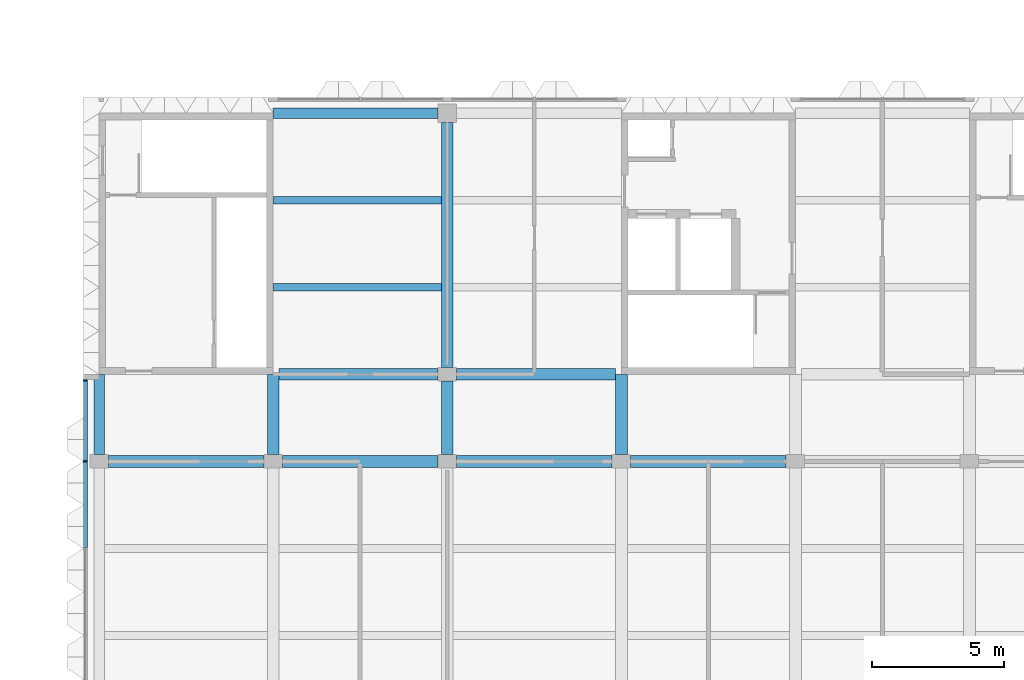
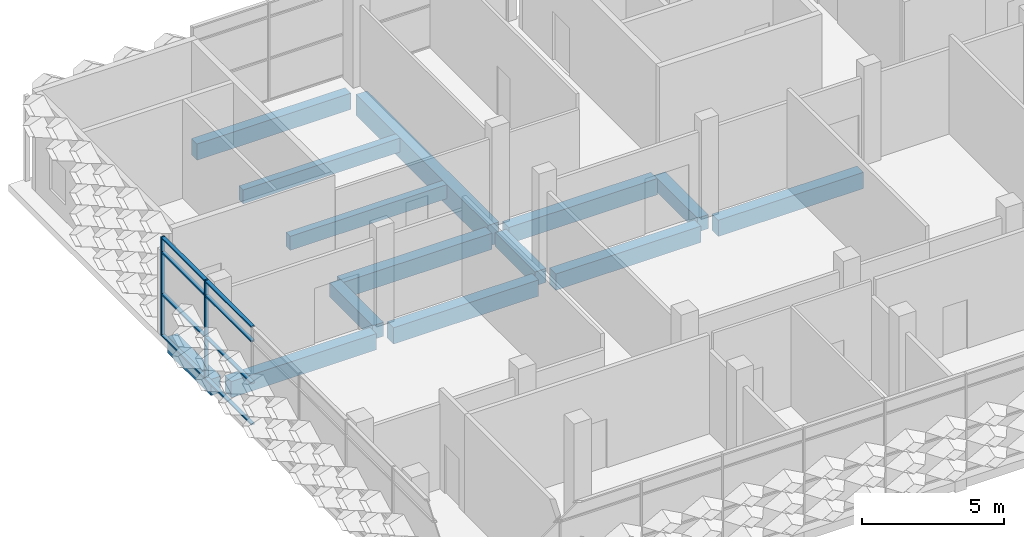
# One storey, part 4 of 61: 14 beams, 10 members, 1 element without a shape of its own.
"""IFC4 building model written with IfcOpenShell, lengths in metres."""

from ifc_helpers import new_model, si_unit, direction, frame, origin, origin_2d, place, context, subcontext, project, spatial, rectangle, extrude, material, material_profile, profile_set, type_object, element, aggregate, save


model = new_model("IFC4")

# Units and contexts
model_context = context("Model", 3, precision=1e-05, world=origin(), true_north=direction((0.0, 1.0)))
body_context = subcontext(model_context, "Body", "Model", "MODEL_VIEW")
ifc_project = project(units=[si_unit("LENGTHUNIT", "METRE"), si_unit("AREAUNIT", "SQUARE_METRE"), si_unit("VOLUMEUNIT", "CUBIC_METRE"), si_unit("PLANEANGLEUNIT", "RADIAN"), si_unit("MASSUNIT", "GRAM", prefix="KILO")], contexts=[model_context])

# Site, building, storey
site_placement = place(None, origin())
site = spatial("IfcSite", under=ifc_project, at=site_placement, CompositionType="ELEMENT")
building_placement = place(site_placement, origin())
building = spatial("IfcBuilding", under=site, at=building_placement, Name="Lantern Court Research Institute", CompositionType="ELEMENT")
storey_placement = place(building_placement, frame((0.0, 0.0, 23.39990234375)))
storey = spatial("IfcBuildingStorey", under=building, at=storey_placement, Name="L05", CompositionType="ELEMENT", Elevation=23.39990234375)

# Curtain wall, members
ifc_material_1 = material(Name="Aluminium alloy 6063-T6", Category="aluminium")
curtain_wall_type = type_object("IfcCurtainWallType", Name="Curtain wall 21250 x 4250 x 150 aluminium frame", PredefinedType="NOTDEFINED", material=ifc_material_1)
curtain_wall_placement = place(storey_placement, origin())
curtain_wall = element("IfcCurtainWall", 1, at=curtain_wall_placement, inside=storey, type_object=curtain_wall_type, Name="Curtain wall CW073", PredefinedType="NOTDEFINED")
ifc_material_2 = material(Name="Aluminium alloy 6063-T6", Category="aluminium")
ifc_material_profile_1 = material_profile(ifc_material_2, rectangle(XDim=0.14990234375, YDim=0.06005859375, at=origin_2d()), Name="Mullion 150 x 60")
ifc_profile_set_1 = profile_set([ifc_material_profile_1], Name="Aluminium alloy 6063-T6")
member_type_1 = type_object("IfcMemberType", Name="Mullion 150 x 60 aluminium", PredefinedType="MULLION", material=ifc_profile_set_1)
member_1_placement = place(storey_placement, frame((-0.52490234375, 9.89990234375, 0.0), z_axis=(0.0, 0.0, 1.0), x_axis=(-1.0, 0.0, 0.0)))
member_1 = element("IfcMember", 2, at=member_1_placement, type_object=member_type_1, Name="CW073 mullion 7", PredefinedType="MULLION", context=body_context, shape_type="SweptSolid", body=[
    extrude(rectangle(XDim=0.14990234375, YDim=0.06005859375, at=origin_2d()), origin(), (0.0, 0.0, 1.0), 4.25),
])
member_2_placement = place(storey_placement, frame((-0.52490234375, 12.969970703125, 0.0), z_axis=(0.0, 0.0, 1.0), x_axis=(-1.0, 0.0, 0.0)))
member_2 = element("IfcMember", 3, at=member_2_placement, type_object=member_type_1, Name="CW073 mullion 8", PredefinedType="MULLION", context=body_context, shape_type="SweptSolid", body=[
    extrude(rectangle(XDim=0.14990234375, YDim=0.06005859375, at=origin_2d()), origin(), (0.0, 0.0, 1.0), 4.25),
])

# Beams
ifc_material_3 = material(Name="Concrete C40/50", Category="concrete")
ifc_material_profile_2 = material_profile(ifc_material_3, rectangle(XDim=0.449951171875, YDim=0.699951171875, at=origin_2d()), Name="RC beam 450 x 700")
ifc_profile_set_2 = profile_set([ifc_material_profile_2], Name="Concrete C40/50")
beam_type_1 = type_object("IfcBeamType", Name="RC beam 450 x 700", PredefinedType="BEAM", material=ifc_profile_set_2)
beam_1_placement = place(storey_placement, frame((0.35009765625, 9.89990234375, -0.64990234375), z_axis=(1.0, 0.0, 0.0), x_axis=(0.0, 1.0, 0.0)))
element("IfcBeam", 4, at=beam_1_placement, inside=storey, type_object=beam_type_1, Name="Beam L05 grid B/1-2", PredefinedType="BEAM", context=body_context, shape_type="SweptSolid", body=[
    extrude(rectangle(XDim=0.449951171875, YDim=0.699951171875, at=origin_2d()), origin(), (0.0, 0.0, 1.0), 5.89990234375),
])
beam_2_placement = place(storey_placement, frame((6.949951171875, 9.89990234375, -0.64990234375), z_axis=(1.0, 0.0, 0.0), x_axis=(0.0, 1.0, 0.0)))
element("IfcBeam", 5, at=beam_2_placement, inside=storey, type_object=beam_type_1, Name="Beam L05 grid B/2-3", PredefinedType="BEAM", context=body_context, shape_type="SweptSolid", body=[
    extrude(rectangle(XDim=0.449951171875, YDim=0.699951171875, at=origin_2d()), origin(), (0.0, 0.0, 1.0), 5.900146484375),
])
beam_3_placement = place(storey_placement, frame((13.550048828125, 9.89990234375, -0.64990234375), z_axis=(1.0, 0.0, 0.0), x_axis=(0.0, 1.0, 0.0)))
element("IfcBeam", 6, at=beam_3_placement, inside=storey, type_object=beam_type_1, Name="Beam L05 grid B/3-4", PredefinedType="BEAM", context=body_context, shape_type="SweptSolid", body=[
    extrude(rectangle(XDim=0.449951171875, YDim=0.699951171875, at=origin_2d()), origin(), (0.0, 0.0, 1.0), 5.89990234375),
])
beam_4_placement = place(storey_placement, frame((20.14990234375, 9.89990234375, -0.64990234375), z_axis=(1.0, 0.0, 0.0), x_axis=(0.0, 1.0, 0.0)))
element("IfcBeam", 7, at=beam_4_placement, inside=storey, type_object=beam_type_1, Name="Beam L05 grid B/4-5", PredefinedType="BEAM", context=body_context, shape_type="SweptSolid", body=[
    extrude(rectangle(XDim=0.449951171875, YDim=0.699951171875, at=origin_2d()), origin(), (0.0, 0.0, 1.0), 5.900146484375),
])
beam_5_placement = place(storey_placement, frame((6.824951171875, 13.199951171875, -0.64990234375), z_axis=(1.0, 0.0, 0.0), x_axis=(0.0, 1.0, 0.0)))
element("IfcBeam", 8, at=beam_5_placement, inside=storey, type_object=beam_type_1, Name="Beam L05 grid C/2-3", PredefinedType="BEAM", context=body_context, shape_type="SweptSolid", body=[
    extrude(rectangle(XDim=0.449951171875, YDim=0.699951171875, at=origin_2d()), origin(), (0.0, 0.0, 1.0), 6.025146484375),
])
beam_6_placement = place(storey_placement, frame((13.550048828125, 13.199951171875, -0.64990234375), z_axis=(1.0, 0.0, 0.0), x_axis=(0.0, 1.0, 0.0)))
element("IfcBeam", 9, at=beam_6_placement, inside=storey, type_object=beam_type_1, Name="Beam L05 grid C/3-4", PredefinedType="BEAM", context=body_context, shape_type="SweptSolid", body=[
    extrude(rectangle(XDim=0.449951171875, YDim=0.699951171875, at=origin_2d()), origin(), (0.0, 0.0, 1.0), 6.02490234375),
])
ifc_material_4 = material(Name="Concrete C40/50", Category="concrete")
ifc_material_profile_3 = material_profile(ifc_material_4, rectangle(XDim=0.39990234375, YDim=0.699951171875, at=origin_2d()), Name="RC beam 400 x 700")
ifc_profile_set_3 = profile_set([ifc_material_profile_3], Name="Concrete C40/50")
beam_type_2 = type_object("IfcBeamType", Name="RC edge beam 400 x 700", PredefinedType="BEAM", material=ifc_profile_set_3)
beam_7_placement = place(storey_placement, frame((0.0, 10.14990234375, -0.64990234375), z_axis=(0.0, 1.0, 0.0), x_axis=(-1.0, 0.0, 0.0)))
element("IfcBeam", 10, at=beam_7_placement, inside=storey, type_object=beam_type_2, Name="Edge beam L05 grid 1/B-C", PredefinedType="BEAM", context=body_context, shape_type="SweptSolid", body=[
    extrude(rectangle(XDim=0.39990234375, YDim=0.699951171875, at=origin_2d()), origin(), (0.0, 0.0, 1.0), 3.050048828125),
])
beam_8_placement = place(storey_placement, frame((6.60009765625, 23.10009765625, -0.64990234375), z_axis=(1.0, 0.0, 0.0), x_axis=(0.0, 1.0, 0.0)))
element("IfcBeam", 11, at=beam_8_placement, inside=storey, type_object=beam_type_2, Name="Edge beam L05 grid D/2-3", PredefinedType="BEAM", context=body_context, shape_type="SweptSolid", body=[
    extrude(rectangle(XDim=0.39990234375, YDim=0.699951171875, at=origin_2d()), origin(), (0.0, 0.0, 1.0), 6.25),
])
ifc_material_5 = material(Name="Concrete C40/50", Category="concrete")
ifc_material_profile_4 = material_profile(ifc_material_5, rectangle(XDim=0.449951171875, YDim=0.89990234375, at=origin_2d()), Name="RC beam 450 x 900")
ifc_profile_set_4 = profile_set([ifc_material_profile_4], Name="Concrete C40/50")
beam_type_3 = type_object("IfcBeamType", Name="RC girder 450 x 900", PredefinedType="BEAM", material=ifc_profile_set_4)
beam_9_placement = place(storey_placement, frame((13.199951171875, 13.449951171875, -0.75), z_axis=(0.0, 1.0, 0.0), x_axis=(-1.0, 0.0, 0.0)))
element("IfcBeam", 12, at=beam_9_placement, inside=storey, type_object=beam_type_3, Name="Girder L05 grid 3/C-D", PredefinedType="BEAM", context=body_context, shape_type="SweptSolid", body=[
    extrude(rectangle(XDim=0.449951171875, YDim=0.89990234375, at=origin_2d()), origin(), (0.0, 0.0, 1.0), 9.300048828125),
])
ifc_material_6 = material(Name="Concrete C40/50", Category="concrete")
ifc_material_profile_5 = material_profile(ifc_material_6, rectangle(XDim=0.300048828125, YDim=0.60009765625, at=origin_2d()), Name="RC beam 300 x 600")
ifc_profile_set_5 = profile_set([ifc_material_profile_5], Name="Concrete C40/50")
beam_type_4 = type_object("IfcBeamType", Name="RC secondary beam 300 x 600", PredefinedType="BEAM", material=ifc_profile_set_5)
for number, where, z_axis, x_axis, name in (
    (13, (6.60009765625, 16.5, -0.599853515625), (1.0, 0.0, 0.0), (0.0, 1.0, 0.0), "Secondary beam L05 grids 2-3 / C-D, line 1"),
    (14, (6.60009765625, 19.800048828125, -0.599853515625), (1.0, 0.0, 0.0), (0.0, 1.0, 0.0), "Secondary beam L05 grids 2-3 / C-D, line 2"),
):
    element("IfcBeam", number, at=place(storey_placement, frame(where, z_axis=z_axis, x_axis=x_axis)), inside=storey, type_object=beam_type_4, Name=name, PredefinedType="BEAM", context=body_context, shape_type="SweptSolid", body=[
        extrude(rectangle(XDim=0.300048828125, YDim=0.60009765625, at=origin_2d()), origin(), (0.0, 0.0, 1.0), 6.375),
    ])
ifc_material_7 = material(Name="Concrete C40/50", Category="concrete")
ifc_material_profile_6 = material_profile(ifc_material_7, rectangle(XDim=0.449951171875, YDim=0.60009765625, at=origin_2d()), Name="RC beam 450 x 600")
ifc_profile_set_6 = profile_set([ifc_material_profile_6], Name="Concrete C40/50")
beam_type_5 = type_object("IfcBeamType", Name="RC spine beam 450 x 600", PredefinedType="BEAM", material=ifc_profile_set_6)
beam_10_placement = place(storey_placement, frame((6.60009765625, 10.14990234375, -0.599853515625), z_axis=(0.0, 1.0, 0.0), x_axis=(-1.0, 0.0, 0.0)))
element("IfcBeam", 15, at=beam_10_placement, inside=storey, type_object=beam_type_5, Name="Beam L05 grid 2/B-C", PredefinedType="BEAM", context=body_context, shape_type="SweptSolid", body=[
    extrude(rectangle(XDim=0.449951171875, YDim=0.60009765625, at=origin_2d()), origin(), (0.0, 0.0, 1.0), 3.050048828125),
])
beam_11_placement = place(storey_placement, frame((13.199951171875, 10.14990234375, -0.599853515625), z_axis=(0.0, 1.0, 0.0), x_axis=(-1.0, 0.0, 0.0)))
element("IfcBeam", 16, at=beam_11_placement, inside=storey, type_object=beam_type_5, Name="Beam L05 grid 3/B-C", PredefinedType="BEAM", context=body_context, shape_type="SweptSolid", body=[
    extrude(rectangle(XDim=0.449951171875, YDim=0.60009765625, at=origin_2d()), origin(), (0.0, 0.0, 1.0), 2.800048828125),
])
beam_12_placement = place(storey_placement, frame((19.800048828125, 10.14990234375, -0.599853515625), z_axis=(0.0, 1.0, 0.0), x_axis=(-1.0, 0.0, 0.0)))
element("IfcBeam", 17, at=beam_12_placement, inside=storey, type_object=beam_type_5, Name="Beam L05 grid 4/B-C", PredefinedType="BEAM", context=body_context, shape_type="SweptSolid", body=[
    extrude(rectangle(XDim=0.449951171875, YDim=0.60009765625, at=origin_2d()), origin(), (0.0, 0.0, 1.0), 3.050048828125),
])

# Member
ifc_material_8 = material(Name="Aluminium alloy 6063-T6", Category="aluminium")
ifc_material_profile_7 = material_profile(ifc_material_8, rectangle(XDim=0.14990234375, YDim=0.06005859375, at=origin_2d()), Name="Transom 150 x 60")
ifc_profile_set_7 = profile_set([ifc_material_profile_7], Name="Aluminium alloy 6063-T6")
member_type_2 = type_object("IfcMemberType", Name="Transom 150 x 60 aluminium", PredefinedType="USERDEFINED", material=ifc_profile_set_7)
member_3_placement = place(storey_placement, frame((-0.52490234375, 6.6298828125, 0.030029296875), z_axis=(0.0, 1.0, 0.0), x_axis=(-1.0, 0.0, 0.0)))
member_3 = element("IfcMember", 18, at=member_3_placement, type_object=member_type_2, Name="CW073 transom 6.1", ObjectType="TRANSOM", PredefinedType="USERDEFINED", context=body_context, shape_type="SweptSolid", body=[
    extrude(rectangle(XDim=0.14990234375, YDim=0.06005859375, at=origin_2d()), origin(), (0.0, 0.0, 1.0), 3.240234375),
])

member_4_placement = place(storey_placement, frame((-0.52490234375, 6.6298828125, 1.800048828125), z_axis=(0.0, 1.0, 0.0), x_axis=(-1.0, 0.0, 0.0)))
member_4 = element("IfcMember", 19, at=member_4_placement, type_object=member_type_2, Name="CW073 transom 6.2", ObjectType="TRANSOM", PredefinedType="USERDEFINED", context=body_context, shape_type="SweptSolid", body=[
    extrude(rectangle(XDim=0.14990234375, YDim=0.06005859375, at=origin_2d()), origin(), (0.0, 0.0, 1.0), 3.240234375),
])

member_5_placement = place(storey_placement, frame((-0.52490234375, 6.6298828125, 3.60009765625), z_axis=(0.0, 1.0, 0.0), x_axis=(-1.0, 0.0, 0.0)))
member_5 = element("IfcMember", 20, at=member_5_placement, type_object=member_type_2, Name="CW073 transom 6.3", ObjectType="TRANSOM", PredefinedType="USERDEFINED", context=body_context, shape_type="SweptSolid", body=[
    extrude(rectangle(XDim=0.14990234375, YDim=0.06005859375, at=origin_2d()), origin(), (0.0, 0.0, 1.0), 3.240234375),
])

member_6_placement = place(storey_placement, frame((-0.52490234375, 6.6298828125, 4.22021484375), z_axis=(0.0, 1.0, 0.0), x_axis=(-1.0, 0.0, 0.0)))
member_6 = element("IfcMember", 21, at=member_6_placement, type_object=member_type_2, Name="CW073 transom 6.4", ObjectType="TRANSOM", PredefinedType="USERDEFINED", context=body_context, shape_type="SweptSolid", body=[
    extrude(rectangle(XDim=0.14990234375, YDim=0.06005859375, at=origin_2d()), origin(), (0.0, 0.0, 1.0), 3.240234375),
])

member_7_placement = place(storey_placement, frame((-0.52490234375, 9.929931640625, 0.030029296875), z_axis=(0.0, 1.0, 0.0), x_axis=(-1.0, 0.0, 0.0)))
member_7 = element("IfcMember", 22, at=member_7_placement, type_object=member_type_2, Name="CW073 transom 7.1", ObjectType="TRANSOM", PredefinedType="USERDEFINED", context=body_context, shape_type="SweptSolid", body=[
    extrude(rectangle(XDim=0.14990234375, YDim=0.06005859375, at=origin_2d()), origin(), (0.0, 0.0, 1.0), 3.010009765625),
])

member_8_placement = place(storey_placement, frame((-0.52490234375, 9.929931640625, 1.800048828125), z_axis=(0.0, 1.0, 0.0), x_axis=(-1.0, 0.0, 0.0)))
member_8 = element("IfcMember", 23, at=member_8_placement, type_object=member_type_2, Name="CW073 transom 7.2", ObjectType="TRANSOM", PredefinedType="USERDEFINED", context=body_context, shape_type="SweptSolid", body=[
    extrude(rectangle(XDim=0.14990234375, YDim=0.06005859375, at=origin_2d()), origin(), (0.0, 0.0, 1.0), 3.010009765625),
])

member_9_placement = place(storey_placement, frame((-0.52490234375, 9.929931640625, 3.60009765625), z_axis=(0.0, 1.0, 0.0), x_axis=(-1.0, 0.0, 0.0)))
member_9 = element("IfcMember", 24, at=member_9_placement, type_object=member_type_2, Name="CW073 transom 7.3", ObjectType="TRANSOM", PredefinedType="USERDEFINED", context=body_context, shape_type="SweptSolid", body=[
    extrude(rectangle(XDim=0.14990234375, YDim=0.06005859375, at=origin_2d()), origin(), (0.0, 0.0, 1.0), 3.010009765625),
])

member_10_placement = place(storey_placement, frame((-0.52490234375, 9.929931640625, 4.22021484375), z_axis=(0.0, 1.0, 0.0), x_axis=(-1.0, 0.0, 0.0)))
member_10 = element("IfcMember", 25, at=member_10_placement, type_object=member_type_2, Name="CW073 transom 7.4", ObjectType="TRANSOM", PredefinedType="USERDEFINED", context=body_context, shape_type="SweptSolid", body=[
    extrude(rectangle(XDim=0.14990234375, YDim=0.06005859375, at=origin_2d()), origin(), (0.0, 0.0, 1.0), 3.010009765625),
])

aggregate(curtain_wall, [member_1, member_2, member_3, member_4, member_5, member_6, member_7, member_8, member_9, member_10])

save(model, "model.ifc")
